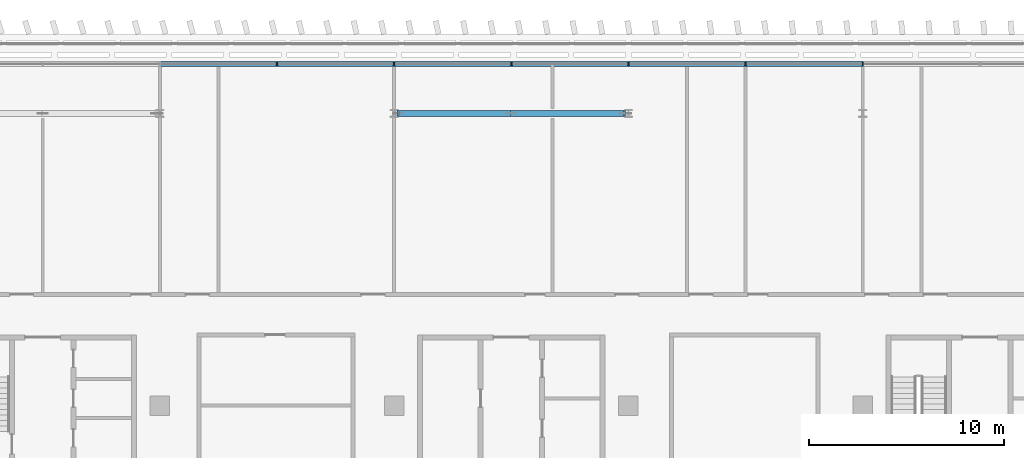
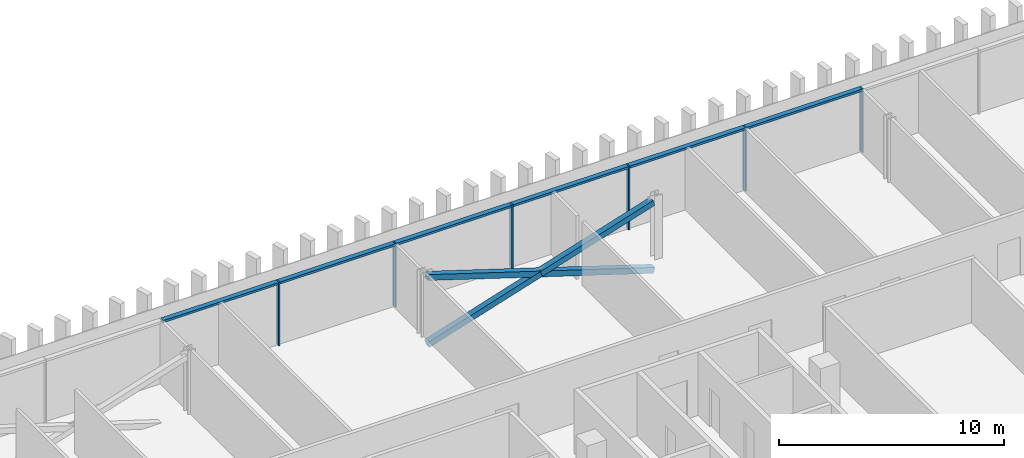
# One storey, part 5 of 30: 15 members, 1 element without a shape of its own.
"""IFC4 building model written with IfcOpenShell, lengths in metres."""

from ifc_helpers import new_model, si_unit, direction, frame, origin, origin_2d, place, context, subcontext, project, spatial, rectangle, hollow_rectangle, extrude, material, material_profile, profile_set, type_object, element, aggregate, save


model = new_model("IFC4")

# Units and contexts
model_context = context("Model", 3, precision=1e-05, world=origin(), true_north=direction((0.0, 1.0)))
body_context = subcontext(model_context, "Body", "Model", "MODEL_VIEW")
ifc_project = project(units=[si_unit("LENGTHUNIT", "METRE"), si_unit("AREAUNIT", "SQUARE_METRE"), si_unit("VOLUMEUNIT", "CUBIC_METRE"), si_unit("PLANEANGLEUNIT", "RADIAN"), si_unit("MASSUNIT", "GRAM", prefix="KILO")], contexts=[model_context])

# Site, building, storey
site_placement = place(None, origin())
site = spatial("IfcSite", under=ifc_project, at=site_placement, CompositionType="ELEMENT")
building_placement = place(site_placement, origin())
building = spatial("IfcBuilding", under=site, at=building_placement, Name="Mahtab Terrace Research Tower", CompositionType="ELEMENT")
storey_placement = place(building_placement, frame((0.0, 0.0, 228.60009765625)))
storey = spatial("IfcBuildingStorey", under=building, at=storey_placement, Name="L55", CompositionType="ELEMENT", Elevation=228.60009765625)

# Members
ifc_material_1 = material(Name="Steel ASTM A500 Gr C", Category="steel")
ifc_material_profile_1 = material_profile(ifc_material_1, hollow_rectangle(XDim=0.3046875, YDim=0.3046875, WallThickness=0.015869140625, at=origin_2d()), Name="HSS12X12X5/8")
ifc_profile_set_1 = profile_set([ifc_material_profile_1], Name="Steel ASTM A500 Gr C")
member_type_1 = type_object("IfcMemberType", Name="HSS 12x12x5/8 brace XB121258", PredefinedType="BRACE", material=ifc_profile_set_1)
member_1_placement = place(storey_placement, frame((5.800537109375, 26.472900390625, -0.58056640625), z_axis=(-0.953338568311, 0.0, 0.301903252998), x_axis=(0.0, -1.0, 0.0)))
element("IfcMember", 1, at=member_1_placement, inside=storey, type_object=member_type_1, Name="Exoskeleton brace L55 05 a", PredefinedType="BRACE", context=body_context, shape_type="SweptSolid", body=[
    extrude(hollow_rectangle(XDim=0.3046875, YDim=0.3046875, WallThickness=0.015869140625, at=origin_2d()), origin(), (0.0, 0.0, 1.0), 12.1689453125),
])
for number, where, z_axis, x_axis, name in (
    (2, (-5.800537109375, 26.472900390625, -0.58056640625), (0.953338568311, 0.0, 0.301903252998), (0.0, 1.0, 0.0), "Exoskeleton brace L55 05 b1"),
    (3, (0.0, 26.472900390625, 1.25634765625), (0.953338568311, 0.0, 0.301903252998), (0.0, 1.0, 0.0), "Exoskeleton brace L55 05 b2"),
):
    element("IfcMember", number, at=place(storey_placement, frame(where, z_axis=z_axis, x_axis=x_axis)), inside=storey, type_object=member_type_1, Name=name, PredefinedType="BRACE", context=body_context, shape_type="SweptSolid", body=[
        extrude(hollow_rectangle(XDim=0.3046875, YDim=0.3046875, WallThickness=0.015869140625, at=origin_2d()), origin(), (0.0, 0.0, 1.0), 6.08447265625),
    ])

# Curtain wall, members
ifc_material_2 = material(Name="Sky lounge full-height curtain wall")
curtain_wall_type = type_object("IfcCurtainWallType", Name="Sky lounge full-height curtain wall", PredefinedType="NOTDEFINED", material=ifc_material_2)
curtain_wall_placement = place(storey_placement, origin())
curtain_wall = element("IfcCurtainWall", 4, at=curtain_wall_placement, inside=storey, type_object=curtain_wall_type, Name="EN.L55.3.3", PredefinedType="NOTDEFINED")
ifc_material_3 = material(Name="Natural anodised aluminium", Category="aluminium")
ifc_material_profile_2 = material_profile(ifc_material_3, rectangle(XDim=0.25, YDim=0.070068359375, at=origin_2d()), Name="MULLION 70x250")
ifc_profile_set_2 = profile_set([ifc_material_profile_2], Name="Natural anodised aluminium")
member_type_2 = type_object("IfcMemberType", Name="Sky lounge full-height curtain wall mullion", PredefinedType="MULLION", material=ifc_profile_set_2)
member_2_placement = place(storey_placement, frame((18.0, 29.0, 0.0), z_axis=(0.0, 0.0, 1.0), x_axis=(0.0, -1.0, 0.0)))
member_2 = element("IfcMember", 5, at=member_2_placement, type_object=member_type_2, Name="CWS-7 mullion 6", PredefinedType="MULLION", context=body_context, shape_type="SweptSolid", body=[
    extrude(rectangle(XDim=0.25, YDim=0.070068359375, at=origin_2d()), origin(), (0.0, 0.0, 1.0), 3.4599609375),
])
member_3_placement = place(storey_placement, frame((12.0, 29.0, 0.0), z_axis=(0.0, 0.0, 1.0), x_axis=(0.0, -1.0, 0.0)))
member_3 = element("IfcMember", 6, at=member_3_placement, type_object=member_type_2, Name="CWS-7 mullion 7", PredefinedType="MULLION", context=body_context, shape_type="SweptSolid", body=[
    extrude(rectangle(XDim=0.25, YDim=0.070068359375, at=origin_2d()), origin(), (0.0, 0.0, 1.0), 3.4599609375),
])
member_4_placement = place(storey_placement, frame((6.0, 29.0, 0.0), z_axis=(0.0, 0.0, 1.0), x_axis=(0.0, -1.0, 0.0)))
member_4 = element("IfcMember", 7, at=member_4_placement, type_object=member_type_2, Name="CWS-7 mullion 8", PredefinedType="MULLION", context=body_context, shape_type="SweptSolid", body=[
    extrude(rectangle(XDim=0.25, YDim=0.070068359375, at=origin_2d()), origin(), (0.0, 0.0, 1.0), 3.4599609375),
])
member_5_placement = place(storey_placement, frame((0.0, 29.0, 0.0), z_axis=(0.0, 0.0, 1.0), x_axis=(0.0, -1.0, 0.0)))
member_5 = element("IfcMember", 8, at=member_5_placement, type_object=member_type_2, Name="CWS-7 mullion 9", PredefinedType="MULLION", context=body_context, shape_type="SweptSolid", body=[
    extrude(rectangle(XDim=0.25, YDim=0.070068359375, at=origin_2d()), origin(), (0.0, 0.0, 1.0), 3.4599609375),
])
member_6_placement = place(storey_placement, frame((-6.0, 29.0, 0.0), z_axis=(0.0, 0.0, 1.0), x_axis=(0.0, -1.0, 0.0)))
member_6 = element("IfcMember", 9, at=member_6_placement, type_object=member_type_2, Name="CWS-7 mullion 10", PredefinedType="MULLION", context=body_context, shape_type="SweptSolid", body=[
    extrude(rectangle(XDim=0.25, YDim=0.070068359375, at=origin_2d()), origin(), (0.0, 0.0, 1.0), 3.4599609375),
])
member_7_placement = place(storey_placement, frame((-12.0, 29.0, 0.0), z_axis=(0.0, 0.0, 1.0), x_axis=(0.0, -1.0, 0.0)))
member_7 = element("IfcMember", 10, at=member_7_placement, type_object=member_type_2, Name="CWS-7 mullion 11", PredefinedType="MULLION", context=body_context, shape_type="SweptSolid", body=[
    extrude(rectangle(XDim=0.25, YDim=0.070068359375, at=origin_2d()), origin(), (0.0, 0.0, 1.0), 3.4599609375),
])
ifc_material_profile_3 = material_profile(ifc_material_3, rectangle(XDim=0.25, YDim=0.1201171875, at=origin_2d()), Name="TRANSOM 120x250")
ifc_profile_set_3 = profile_set([ifc_material_profile_3], Name="Natural anodised aluminium")
member_type_3 = type_object("IfcMemberType", Name="Sky lounge full-height curtain wall transom", PredefinedType="USERDEFINED", material=ifc_profile_set_3)
member_8_placement = place(storey_placement, frame((17.965087890625, 29.0, 3.39990234375), z_axis=(-1.0, 0.0, 0.0), x_axis=(0.0, -1.0, 0.0)))
member_8 = element("IfcMember", 11, at=member_8_placement, type_object=member_type_3, Name="CWS-7 transom 6", ObjectType="TRANSOM", PredefinedType="USERDEFINED", context=body_context, shape_type="SweptSolid", body=[
    extrude(rectangle(XDim=0.25, YDim=0.1201171875, at=origin_2d()), origin(), (0.0, 0.0, 1.0), 5.93017578125),
])
member_9_placement = place(storey_placement, frame((11.965087890625, 29.0, 3.39990234375), z_axis=(-1.0, 0.0, 0.0), x_axis=(0.0, -1.0, 0.0)))
member_9 = element("IfcMember", 12, at=member_9_placement, type_object=member_type_3, Name="CWS-7 transom 7", ObjectType="TRANSOM", PredefinedType="USERDEFINED", context=body_context, shape_type="SweptSolid", body=[
    extrude(rectangle(XDim=0.25, YDim=0.1201171875, at=origin_2d()), origin(), (0.0, 0.0, 1.0), 5.93017578125),
])
member_10_placement = place(storey_placement, frame((5.965087890625, 29.0, 3.39990234375), z_axis=(-1.0, 0.0, 0.0), x_axis=(0.0, -1.0, 0.0)))
member_10 = element("IfcMember", 13, at=member_10_placement, type_object=member_type_3, Name="CWS-7 transom 8", ObjectType="TRANSOM", PredefinedType="USERDEFINED", context=body_context, shape_type="SweptSolid", body=[
    extrude(rectangle(XDim=0.25, YDim=0.1201171875, at=origin_2d()), origin(), (0.0, 0.0, 1.0), 5.93017578125),
])
member_11_placement = place(storey_placement, frame((-0.034912109375, 29.0, 3.39990234375), z_axis=(-1.0, 0.0, 0.0), x_axis=(0.0, -1.0, 0.0)))
member_11 = element("IfcMember", 14, at=member_11_placement, type_object=member_type_3, Name="CWS-7 transom 9", ObjectType="TRANSOM", PredefinedType="USERDEFINED", context=body_context, shape_type="SweptSolid", body=[
    extrude(rectangle(XDim=0.25, YDim=0.1201171875, at=origin_2d()), origin(), (0.0, 0.0, 1.0), 5.93017578125),
])
member_12_placement = place(storey_placement, frame((-6.034912109375, 29.0, 3.39990234375), z_axis=(-1.0, 0.0, 0.0), x_axis=(0.0, -1.0, 0.0)))
member_12 = element("IfcMember", 15, at=member_12_placement, type_object=member_type_3, Name="CWS-7 transom 10", ObjectType="TRANSOM", PredefinedType="USERDEFINED", context=body_context, shape_type="SweptSolid", body=[
    extrude(rectangle(XDim=0.25, YDim=0.1201171875, at=origin_2d()), origin(), (0.0, 0.0, 1.0), 5.93017578125),
])
member_13_placement = place(storey_placement, frame((-12.034912109375, 29.0, 3.39990234375), z_axis=(-1.0, 0.0, 0.0), x_axis=(0.0, -1.0, 0.0)))
member_13 = element("IfcMember", 16, at=member_13_placement, type_object=member_type_3, Name="CWS-7 transom 11", ObjectType="TRANSOM", PredefinedType="USERDEFINED", context=body_context, shape_type="SweptSolid", body=[
    extrude(rectangle(XDim=0.25, YDim=0.1201171875, at=origin_2d()), origin(), (0.0, 0.0, 1.0), 5.93017578125),
])
aggregate(curtain_wall, [member_2, member_3, member_4, member_5, member_6, member_7, member_8, member_9, member_10, member_11, member_12, member_13])

save(model, "model.ifc")
